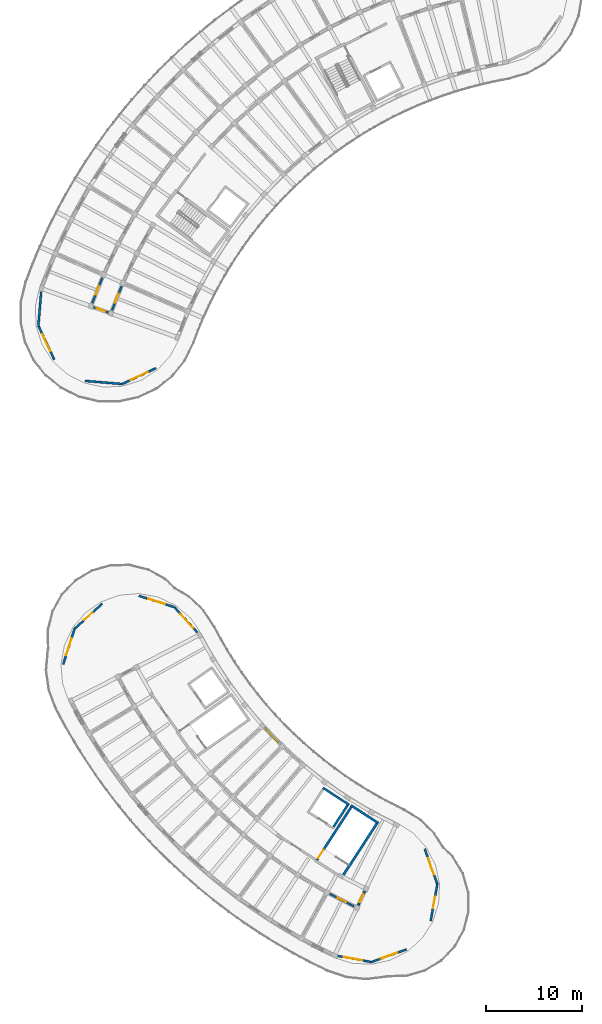
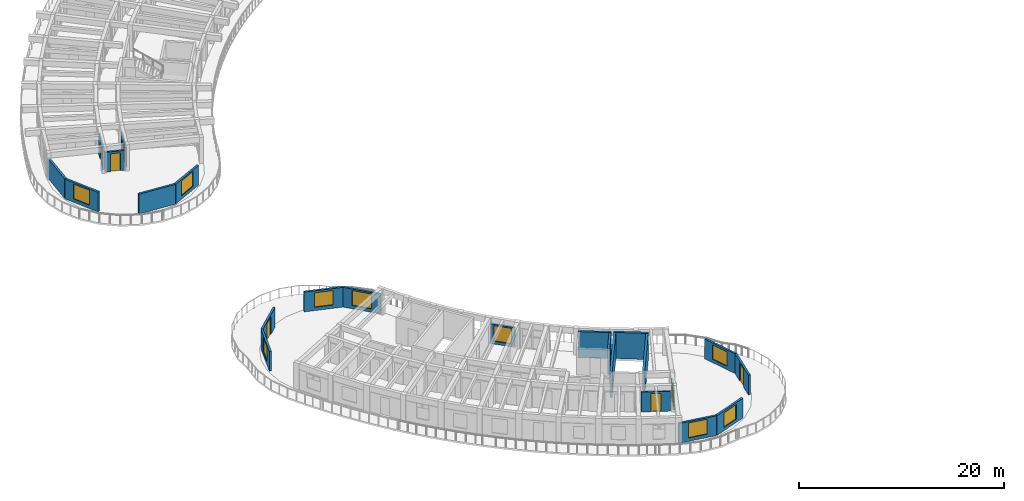
# One storey, part 18 of 41: 23 walls, 9 windows, 8 doors, 17 openings.
"""IFC4 building model written with IfcOpenShell, lengths in metres."""

from ifc_helpers import new_model, si_unit, direction, frame, frame_2d, origin, place, context, subcontext, project, spatial, rectangle, extrude, material, layer, layer_set, type_object, element, fill, save


model = new_model("IFC4")

# Units and contexts
model_context = context("Model", 3, precision=1e-05, world=origin(), true_north=direction((0.0, 1.0)))
body_context = subcontext(model_context, "Body", "Model", "MODEL_VIEW")
ifc_project = project(units=[si_unit("LENGTHUNIT", "METRE"), si_unit("AREAUNIT", "SQUARE_METRE"), si_unit("VOLUMEUNIT", "CUBIC_METRE"), si_unit("PLANEANGLEUNIT", "RADIAN"), si_unit("MASSUNIT", "GRAM", prefix="KILO")], contexts=[model_context])

# Site, building, storey
site_placement = place(None, origin())
site = spatial("IfcSite", under=ifc_project, at=site_placement, CompositionType="ELEMENT")
building_placement = place(site_placement, origin())
building = spatial("IfcBuilding", under=site, at=building_placement, Name="Tanwirah Colonnade Gardens", CompositionType="ELEMENT")
storey_placement = place(building_placement, frame((0.0, 0.0, 35.719970703125)))
storey = spatial("IfcBuildingStorey", under=building, at=storey_placement, Name="L10", CompositionType="ELEMENT", Elevation=35.719970703125)

# Wall, opening, window
ifc_material_1 = material(Name="Limestone architectural precast concrete C40/50", Category="masonry")
ifc_layer_1 = layer(ifc_material_1, 0.219970703125)
ifc_layer_set_1 = layer_set([ifc_layer_1], Name="Limestone architectural precast concrete C40/50")
wall_type_1 = type_object("IfcWallType", Name="EW-PC220", PredefinedType="SOLIDWALL", material=ifc_layer_set_1)
wall_1_placement = place(storey_placement, frame((32.212158203125, 34.494873046875, 0.0), z_axis=(0.0, 0.0, 1.0), x_axis=(0.696216978746, -0.717831399777, 0.0)))
wall_1 = element("IfcWall", 1, at=wall_1_placement, inside=storey, type_object=wall_type_1, Name="Block C L10 IN Precast Facade Wall 7", PredefinedType="SOLIDWALL", context=body_context, shape_type="SweptSolid", body=[
    extrude(rectangle(XDim=2.518798828125, YDim=0.219970703125, at=frame_2d((1.25927734375, 0.0))), origin(), (0.0, 0.0, 1.0), 2.35498046875),
])
opening_1_placement = place(wall_1_placement, frame((0.384521484375, 0.0, 0.35009765625)))
opening_1 = element("IfcOpeningElement", 2, at=opening_1_placement, cuts=wall_1, Name="Opening WIN-T13", PredefinedType="OPENING", context=body_context, shape_type="SweptSolid", body=[
    extrude(rectangle(XDim=1.75, YDim=1.85009765625, at=frame_2d((0.875, 0.925048828125))), frame((0.0, 0.119873046875, 0.0), z_axis=(0.0, -1.0, 0.0), x_axis=(1.0, 0.0, 0.0)), (0.0, 0.0, 1.0), 0.239990234375),
])
ifc_material_2 = material(Name="Thermally broken bronze aluminium and solar low-E double glazing", Category="aluminium")
window_type_1 = type_object("IfcWindowType", Name="WIN-T13", PartitioningType="TRIPLE_PANEL_VERTICAL", PredefinedType="WINDOW", material=ifc_material_2)
window_1_placement = place(opening_1_placement, origin())
window_1 = element("IfcWindow", 3, at=window_1_placement, inside=storey, type_object=window_type_1, Name="Facade window C-L10-IN-07", OverallHeight=1.85009765625, OverallWidth=1.75, PartitioningType="SINGLE_PANEL", PredefinedType="WINDOW", context=body_context, shape_type="SweptSolid", body=[
    extrude(rectangle(XDim=1.75, YDim=1.85009765625, at=frame_2d((0.875, 0.925048828125))), frame((0.0, 0.030029296875, 0.0), z_axis=(0.0, -1.0, 0.0), x_axis=(1.0, 0.0, 0.0)), (0.0, 0.0, 1.0), 0.06005859375),
])
fill(opening_1, window_1)

wall_2_placement = place(storey_placement, frame((11.229736328125, 41.052734375, 0.0), z_axis=(0.0, 0.0, 1.0), x_axis=(0.304848259057, 0.95240093393, 0.0)))
wall_2 = element("IfcWall", 4, at=wall_2_placement, inside=storey, type_object=wall_type_1, Name="Block C L10 START Rounded End Wall 1", PredefinedType="SOLIDWALL", context=body_context, shape_type="SweptSolid", body=[
    extrude(rectangle(XDim=3.908203125, YDim=0.219970703125, at=frame_2d((1.9541015625, 0.0))), origin(), (0.0, 0.0, 1.0), 2.35498046875),
])
opening_2_placement = place(wall_2_placement, frame((1.029052734375, 0.0, 0.39990234375)))
opening_2 = element("IfcOpeningElement", 5, at=opening_2_placement, cuts=wall_2, Name="Opening WIN-END1", PredefinedType="OPENING", context=body_context, shape_type="SweptSolid", body=[
    extrude(rectangle(XDim=1.85009765625, YDim=1.719970703125, at=frame_2d((0.925048828125, 0.85986328125))), frame((0.0, 0.119873046875, 0.0), z_axis=(0.0, -1.0, 0.0), x_axis=(1.0, 0.0, 0.0)), (0.0, 0.0, 1.0), 0.239990234375),
])
window_type_2 = type_object("IfcWindowType", Name="WIN-END1", PartitioningType="TRIPLE_PANEL_VERTICAL", PredefinedType="WINDOW", material=ifc_material_2)
window_2_placement = place(opening_2_placement, origin())
window_2 = element("IfcWindow", 6, at=window_2_placement, inside=storey, type_object=window_type_2, Name="Rounded corner window C-L10-START-1", OverallHeight=1.719970703125, OverallWidth=1.85009765625, PartitioningType="SINGLE_PANEL", PredefinedType="WINDOW", context=body_context, shape_type="SweptSolid", body=[
    extrude(rectangle(XDim=1.85009765625, YDim=1.719970703125, at=frame_2d((0.925048828125, 0.85986328125))), frame((0.0, 0.030029296875, 0.0), z_axis=(0.0, -1.0, 0.0), x_axis=(1.0, 0.0, 0.0)), (0.0, 0.0, 1.0), 0.06005859375),
])
fill(opening_2, window_2)

# Wall, opening, door
wall_3_placement = place(storey_placement, frame((12.421142578125, 44.77490234375, 0.0), z_axis=(0.0, 0.0, 1.0), x_axis=(0.740242444111, 0.672340035947, 0.0)))
wall_3 = element("IfcWall", 7, at=wall_3_placement, inside=storey, type_object=wall_type_1, Name="Block C L10 START Rounded End Wall 2", PredefinedType="SOLIDWALL", context=body_context, shape_type="SweptSolid", body=[
    extrude(rectangle(XDim=3.908203125, YDim=0.219970703125, at=frame_2d((1.9541015625, 0.0))), origin(), (0.0, 0.0, 1.0), 2.35498046875),
])
opening_3_placement = place(wall_3_placement, frame((1.35400390625, 0.0, 0.0)))
opening_3 = element("IfcOpeningElement", 8, at=opening_3_placement, cuts=wall_3, Name="Opening L10-ED172", PredefinedType="OPENING", context=body_context, shape_type="SweptSolid", body=[
    extrude(rectangle(XDim=1.199951171875, YDim=2.14990234375, at=frame_2d((0.60009765625, 1.074951171875))), frame((0.0, 0.119873046875, 0.0), z_axis=(0.0, -1.0, 0.0), x_axis=(1.0, 0.0, 0.0)), (0.0, 0.0, 1.0), 0.239990234375),
])
ifc_material_3 = material(Name="Bronze aluminium glazed terrace door", Category="aluminium")
door_type_1 = type_object("IfcDoorType", Name="ED-TER120", OperationType="NOTDEFINED", PredefinedType="DOOR", material=ifc_material_3)
door_1_placement = place(opening_3_placement, origin())
door_1 = element("IfcDoor", 9, at=door_1_placement, inside=storey, type_object=door_type_1, Name="Stepped corner terrace door L10-ED172", OperationType="SINGLE_SWING_RIGHT", OverallHeight=2.14990234375, OverallWidth=1.199951171875, PredefinedType="DOOR", context=body_context, shape_type="SweptSolid", body=[
    extrude(rectangle(XDim=1.199951171875, YDim=2.14990234375, at=frame_2d((0.60009765625, 1.074951171875))), frame((0.0, 0.02490234375, 0.0), z_axis=(0.0, -1.0, 0.0), x_axis=(1.0, 0.0, 0.0)), (0.0, 0.0, 1.0), 0.050048828125),
])
fill(opening_3, door_1)

# Wall, opening, window
wall_4_placement = place(storey_placement, frame((19.13330078125, 48.23193359375, 0.0), z_axis=(0.0, 0.0, 1.0), x_axis=(0.952382795507, -0.304904920954, 0.0)))
wall_4 = element("IfcWall", 10, at=wall_4_placement, inside=storey, type_object=wall_type_1, Name="Block C L10 START Rounded End Wall 4", PredefinedType="SOLIDWALL", context=body_context, shape_type="SweptSolid", body=[
    extrude(rectangle(XDim=3.908203125, YDim=0.219970703125, at=frame_2d((1.9541015625, 0.0))), origin(), (0.0, 0.0, 1.0), 2.35498046875),
])
opening_4_placement = place(wall_4_placement, frame((1.029052734375, 0.0, 0.39990234375)))
opening_4 = element("IfcOpeningElement", 11, at=opening_4_placement, cuts=wall_4, Name="Opening WIN-END1", PredefinedType="OPENING", context=body_context, shape_type="SweptSolid", body=[
    extrude(rectangle(XDim=1.85009765625, YDim=1.719970703125, at=frame_2d((0.925048828125, 0.85986328125))), frame((0.0, 0.119873046875, 0.0), z_axis=(0.0, -1.0, 0.0), x_axis=(1.0, 0.0, 0.0)), (0.0, 0.0, 1.0), 0.239990234375),
])
window_3_placement = place(opening_4_placement, origin())
window_3 = element("IfcWindow", 12, at=window_3_placement, inside=storey, type_object=window_type_2, Name="Rounded corner window C-L10-START-4", OverallHeight=1.719970703125, OverallWidth=1.85009765625, PartitioningType="SINGLE_PANEL", PredefinedType="WINDOW", context=body_context, shape_type="SweptSolid", body=[
    extrude(rectangle(XDim=1.85009765625, YDim=1.719970703125, at=frame_2d((0.925048828125, 0.85986328125))), frame((0.0, 0.030029296875, 0.0), z_axis=(0.0, -1.0, 0.0), x_axis=(1.0, 0.0, 0.0)), (0.0, 0.0, 1.0), 0.06005859375),
])
fill(opening_4, window_3)

wall_5_placement = place(storey_placement, frame((22.85546875, 47.040283203125, 0.0), z_axis=(0.0, 0.0, 1.0), x_axis=(0.672371126638, -0.740214204175, 0.0)))
wall_5 = element("IfcWall", 13, at=wall_5_placement, inside=storey, type_object=wall_type_1, Name="Block C L10 START Rounded End Wall 5", PredefinedType="SOLIDWALL", context=body_context, shape_type="SweptSolid", body=[
    extrude(rectangle(XDim=3.908203125, YDim=0.219970703125, at=frame_2d((1.9541015625, 0.0))), origin(), (0.0, 0.0, 1.0), 2.35498046875),
])
opening_5_placement = place(wall_5_placement, frame((0.97900390625, 0.0, 0.39990234375)))
opening_5 = element("IfcOpeningElement", 14, at=opening_5_placement, cuts=wall_5, Name="Opening WIN-END2", PredefinedType="OPENING", context=body_context, shape_type="SweptSolid", body=[
    extrude(rectangle(XDim=1.949951171875, YDim=1.780029296875, at=frame_2d((0.97509765625, 0.89013671875))), frame((0.0, 0.119873046875, 0.0), z_axis=(0.0, -1.0, 0.0), x_axis=(1.0, 0.0, 0.0)), (0.0, 0.0, 1.0), 0.239990234375),
])
window_type_3 = type_object("IfcWindowType", Name="WIN-END2", PartitioningType="TRIPLE_PANEL_VERTICAL", PredefinedType="WINDOW", material=ifc_material_2)
window_4_placement = place(opening_5_placement, origin())
window_4 = element("IfcWindow", 15, at=window_4_placement, inside=storey, type_object=window_type_3, Name="Rounded corner window C-L10-START-5", OverallHeight=1.780029296875, OverallWidth=1.949951171875, PartitioningType="SINGLE_PANEL", PredefinedType="WINDOW", context=body_context, shape_type="SweptSolid", body=[
    extrude(rectangle(XDim=1.949951171875, YDim=1.780029296875, at=frame_2d((0.97509765625, 0.89013671875))), frame((0.0, 0.030029296875, 0.0), z_axis=(0.0, -1.0, 0.0), x_axis=(1.0, 0.0, 0.0)), (0.0, 0.0, 1.0), 0.06005859375),
])
fill(opening_5, window_4)

wall_6_placement = place(storey_placement, frame((49.02197265625, 21.771728515625, 0.0), z_axis=(0.0, 0.0, 1.0), x_axis=(0.337903065186, -0.941180917007, 0.0)))
wall_6 = element("IfcWall", 16, at=wall_6_placement, inside=storey, type_object=wall_type_1, Name="Block C L10 END Rounded End Wall 1", PredefinedType="SOLIDWALL", context=body_context, shape_type="SweptSolid", body=[
    extrude(rectangle(XDim=3.908203125, YDim=0.219970703125, at=frame_2d((1.9541015625, 0.0))), origin(), (0.0, 0.0, 1.0), 2.35498046875),
])
opening_6_placement = place(wall_6_placement, frame((1.029052734375, 0.0, 0.39990234375)))
opening_6 = element("IfcOpeningElement", 17, at=opening_6_placement, cuts=wall_6, Name="Opening WIN-END1", PredefinedType="OPENING", context=body_context, shape_type="SweptSolid", body=[
    extrude(rectangle(XDim=1.85009765625, YDim=1.719970703125, at=frame_2d((0.925048828125, 0.85986328125))), frame((0.0, 0.119873046875, 0.0), z_axis=(0.0, -1.0, 0.0), x_axis=(1.0, 0.0, 0.0)), (0.0, 0.0, 1.0), 0.239990234375),
])
window_5_placement = place(opening_6_placement, origin())
window_5 = element("IfcWindow", 18, at=window_5_placement, inside=storey, type_object=window_type_2, Name="Rounded corner window C-L10-END-1", OverallHeight=1.719970703125, OverallWidth=1.85009765625, PartitioningType="SINGLE_PANEL", PredefinedType="WINDOW", context=body_context, shape_type="SweptSolid", body=[
    extrude(rectangle(XDim=1.85009765625, YDim=1.719970703125, at=frame_2d((0.925048828125, 0.85986328125))), frame((0.0, 0.030029296875, 0.0), z_axis=(0.0, -1.0, 0.0), x_axis=(1.0, 0.0, 0.0)), (0.0, 0.0, 1.0), 0.06005859375),
])
fill(opening_6, window_5)

# Wall, opening, door
wall_7_placement = place(storey_placement, frame((50.342529296875, 18.093505859375, 0.0), z_axis=(0.0, 0.0, 1.0), x_axis=(-0.177978291347, -0.984034413935, 0.0)))
wall_7 = element("IfcWall", 19, at=wall_7_placement, inside=storey, type_object=wall_type_1, Name="Block C L10 END Rounded End Wall 2", PredefinedType="SOLIDWALL", context=body_context, shape_type="SweptSolid", body=[
    extrude(rectangle(XDim=3.908203125, YDim=0.219970703125, at=frame_2d((1.9541015625, 0.0))), origin(), (0.0, 0.0, 1.0), 2.35498046875),
])
opening_7_placement = place(wall_7_placement, frame((1.35400390625, 0.0, 0.0)))
opening_7 = element("IfcOpeningElement", 20, at=opening_7_placement, cuts=wall_7, Name="Opening L10-ED173", PredefinedType="OPENING", context=body_context, shape_type="SweptSolid", body=[
    extrude(rectangle(XDim=1.199951171875, YDim=2.14990234375, at=frame_2d((0.60009765625, 1.074951171875))), frame((0.0, 0.119873046875, 0.0), z_axis=(0.0, -1.0, 0.0), x_axis=(1.0, 0.0, 0.0)), (0.0, 0.0, 1.0), 0.239990234375),
])
door_2_placement = place(opening_7_placement, origin())
door_2 = element("IfcDoor", 21, at=door_2_placement, inside=storey, type_object=door_type_1, Name="Stepped corner terrace door L10-ED173", OperationType="SINGLE_SWING_LEFT", OverallHeight=2.14990234375, OverallWidth=1.199951171875, PredefinedType="DOOR", context=body_context, shape_type="SweptSolid", body=[
    extrude(rectangle(XDim=1.199951171875, YDim=2.14990234375, at=frame_2d((0.60009765625, 1.074951171875))), frame((0.0, 0.02490234375, 0.0), z_axis=(0.0, -1.0, 0.0), x_axis=(1.0, 0.0, 0.0)), (0.0, 0.0, 1.0), 0.050048828125),
])
fill(opening_7, door_2)

# Wall, opening, window
wall_8_placement = place(storey_placement, frame((47.121826171875, 11.264892578125, 0.0), z_axis=(0.0, 0.0, 1.0), x_axis=(-0.941180917007, -0.337903065186, 0.0)))
wall_8 = element("IfcWall", 22, at=wall_8_placement, inside=storey, type_object=wall_type_1, Name="Block C L10 END Rounded End Wall 4", PredefinedType="SOLIDWALL", context=body_context, shape_type="SweptSolid", body=[
    extrude(rectangle(XDim=3.908203125, YDim=0.219970703125, at=frame_2d((1.9541015625, 0.0))), origin(), (0.0, 0.0, 1.0), 2.35498046875),
])
opening_8_placement = place(wall_8_placement, frame((1.029052734375, 0.0, 0.39990234375)))
opening_8 = element("IfcOpeningElement", 23, at=opening_8_placement, cuts=wall_8, Name="Opening WIN-END1", PredefinedType="OPENING", context=body_context, shape_type="SweptSolid", body=[
    extrude(rectangle(XDim=1.85009765625, YDim=1.719970703125, at=frame_2d((0.925048828125, 0.85986328125))), frame((0.0, 0.119873046875, 0.0), z_axis=(0.0, -1.0, 0.0), x_axis=(1.0, 0.0, 0.0)), (0.0, 0.0, 1.0), 0.239990234375),
])
window_6_placement = place(opening_8_placement, origin())
window_6 = element("IfcWindow", 24, at=window_6_placement, inside=storey, type_object=window_type_2, Name="Rounded corner window C-L10-END-4", OverallHeight=1.719970703125, OverallWidth=1.85009765625, PartitioningType="SINGLE_PANEL", PredefinedType="WINDOW", context=body_context, shape_type="SweptSolid", body=[
    extrude(rectangle(XDim=1.85009765625, YDim=1.719970703125, at=frame_2d((0.925048828125, 0.85986328125))), frame((0.0, 0.030029296875, 0.0), z_axis=(0.0, -1.0, 0.0), x_axis=(1.0, 0.0, 0.0)), (0.0, 0.0, 1.0), 0.06005859375),
])
fill(opening_8, window_6)

wall_9_placement = place(storey_placement, frame((43.443603515625, 9.9443359375, 0.0), z_axis=(0.0, 0.0, 1.0), x_axis=(-0.984045353069, 0.177917798727, 0.0)))
wall_9 = element("IfcWall", 25, at=wall_9_placement, inside=storey, type_object=wall_type_1, Name="Block C L10 END Rounded End Wall 5", PredefinedType="SOLIDWALL", context=body_context, shape_type="SweptSolid", body=[
    extrude(rectangle(XDim=3.907958984375, YDim=0.219970703125, at=frame_2d((1.9541015625, 0.0))), origin(), (0.0, 0.0, 1.0), 2.35498046875),
])
opening_9_placement = place(wall_9_placement, frame((0.97900390625, 0.0, 0.39990234375)))
opening_9 = element("IfcOpeningElement", 26, at=opening_9_placement, cuts=wall_9, Name="Opening WIN-END2", PredefinedType="OPENING", context=body_context, shape_type="SweptSolid", body=[
    extrude(rectangle(XDim=1.949951171875, YDim=1.780029296875, at=frame_2d((0.97509765625, 0.89013671875))), frame((0.0, 0.119873046875, 0.0), z_axis=(0.0, -1.0, 0.0), x_axis=(1.0, 0.0, 0.0)), (0.0, 0.0, 1.0), 0.239990234375),
])
window_7_placement = place(opening_9_placement, origin())
window_7 = element("IfcWindow", 27, at=window_7_placement, inside=storey, type_object=window_type_3, Name="Rounded corner window C-L10-END-5", OverallHeight=1.780029296875, OverallWidth=1.949951171875, PartitioningType="SINGLE_PANEL", PredefinedType="WINDOW", context=body_context, shape_type="SweptSolid", body=[
    extrude(rectangle(XDim=1.949951171875, YDim=1.780029296875, at=frame_2d((0.97509765625, 0.89013671875))), frame((0.0, 0.030029296875, 0.0), z_axis=(0.0, -1.0, 0.0), x_axis=(1.0, 0.0, 0.0)), (0.0, 0.0, 1.0), 0.06005859375),
])
fill(opening_9, window_7)

ifc_layer_2 = layer(ifc_material_1, 0.22509765625)
ifc_layer_set_2 = layer_set([ifc_layer_2], Name="Limestone architectural precast concrete C40/50")
wall_type_2 = type_object("IfcWallType", Name="EW-PC225", PredefinedType="SOLIDWALL", material=ifc_layer_set_2)
wall_10_placement = place(storey_placement, frame((20.94287109375, 72.030517578125, 0.0), z_axis=(0.0, 0.0, 1.0), x_axis=(-0.904675662712, -0.42610086282, 0.0)))
wall_10 = element("IfcWall", 28, at=wall_10_placement, inside=storey, type_object=wall_type_2, Name="Block A L10 END Rounded End Wall 1", PredefinedType="SOLIDWALL", context=body_context, shape_type="SweptSolid", body=[
    extrude(rectangle(XDim=3.908203125, YDim=0.22509765625, at=frame_2d((1.9541015625, 0.0))), origin(), (0.0, 0.0, 1.0), 2.35498046875),
])
opening_10_placement = place(wall_10_placement, frame((0.97900390625, 0.0, 0.39990234375)))
opening_10 = element("IfcOpeningElement", 29, at=opening_10_placement, cuts=wall_10, Name="Opening WIN-END2", PredefinedType="OPENING", context=body_context, shape_type="SweptSolid", body=[
    extrude(rectangle(XDim=1.949951171875, YDim=1.780029296875, at=frame_2d((0.97509765625, 0.89013671875))), frame((0.0, 0.12255859375, 0.0), z_axis=(0.0, -1.0, 0.0), x_axis=(1.0, 0.0, 0.0)), (0.0, 0.0, 1.0), 0.2451171875),
])
window_8_placement = place(opening_10_placement, origin())
window_8 = element("IfcWindow", 30, at=window_8_placement, inside=storey, type_object=window_type_3, Name="Rounded corner window A-L10-END-1", OverallHeight=1.780029296875, OverallWidth=1.949951171875, PartitioningType="SINGLE_PANEL", PredefinedType="WINDOW", context=body_context, shape_type="SweptSolid", body=[
    extrude(rectangle(XDim=1.949951171875, YDim=1.780029296875, at=frame_2d((0.97509765625, 0.89013671875))), frame((0.0, 0.030029296875, 0.0), z_axis=(0.0, -1.0, 0.0), x_axis=(1.0, 0.0, 0.0)), (0.0, 0.0, 1.0), 0.06005859375),
])
fill(opening_10, window_8)

# Wall
wall_11_placement = place(storey_placement, frame((17.4072265625, 70.365234375, 0.0), z_axis=(0.0, 0.0, 1.0), x_axis=(-0.996526775767, 0.083272955874, 0.0)))
element("IfcWall", 31, at=wall_11_placement, inside=storey, type_object=wall_type_2, Name="Block A L10 END Rounded End Wall 2", PredefinedType="SOLIDWALL", context=body_context, shape_type="SweptSolid", body=[
    extrude(rectangle(XDim=3.908203125, YDim=0.22509765625, at=frame_2d((1.9541015625, 0.0))), origin(), (0.0, 0.0, 1.0), 2.35498046875),
])

# Wall, opening, window
wall_12_placement = place(storey_placement, frame((10.302490234375, 72.919921875, 0.0), z_axis=(0.0, 0.0, 1.0), x_axis=(-0.42610086282, 0.904675662712, 0.0)))
wall_12 = element("IfcWall", 32, at=wall_12_placement, inside=storey, type_object=wall_type_2, Name="Block A L10 END Rounded End Wall 4", PredefinedType="SOLIDWALL", context=body_context, shape_type="SweptSolid", body=[
    extrude(rectangle(XDim=3.908203125, YDim=0.22509765625, at=frame_2d((1.9541015625, 0.0))), origin(), (0.0, 0.0, 1.0), 2.35498046875),
])
opening_11_placement = place(wall_12_placement, frame((0.97900390625, 0.0, 0.39990234375)))
opening_11 = element("IfcOpeningElement", 33, at=opening_11_placement, cuts=wall_12, Name="Opening WIN-END2", PredefinedType="OPENING", context=body_context, shape_type="SweptSolid", body=[
    extrude(rectangle(XDim=1.949951171875, YDim=1.780029296875, at=frame_2d((0.97509765625, 0.89013671875))), frame((0.0, 0.12255859375, 0.0), z_axis=(0.0, -1.0, 0.0), x_axis=(1.0, 0.0, 0.0)), (0.0, 0.0, 1.0), 0.2451171875),
])
window_9_placement = place(opening_11_placement, origin())
window_9 = element("IfcWindow", 34, at=window_9_placement, inside=storey, type_object=window_type_3, Name="Rounded corner window A-L10-END-4", OverallHeight=1.780029296875, OverallWidth=1.949951171875, PartitioningType="SINGLE_PANEL", PredefinedType="WINDOW", context=body_context, shape_type="SweptSolid", body=[
    extrude(rectangle(XDim=1.949951171875, YDim=1.780029296875, at=frame_2d((0.97509765625, 0.89013671875))), frame((0.0, 0.030029296875, 0.0), z_axis=(0.0, -1.0, 0.0), x_axis=(1.0, 0.0, 0.0)), (0.0, 0.0, 1.0), 0.06005859375),
])
fill(opening_11, window_9)

# Wall
wall_13_placement = place(storey_placement, frame((8.63720703125, 76.45556640625, 0.0), z_axis=(0.0, 0.0, 1.0), x_axis=(0.083272955874, 0.996526775767, 0.0)))
element("IfcWall", 35, at=wall_13_placement, inside=storey, type_object=wall_type_2, Name="Block A L10 END Rounded End Wall 5", PredefinedType="SOLIDWALL", context=body_context, shape_type="SweptSolid", body=[
    extrude(rectangle(XDim=3.908203125, YDim=0.22509765625, at=frame_2d((1.9541015625, 0.0))), origin(), (0.0, 0.0, 1.0), 2.35498046875),
])

# Wall, opening, door
ifc_material_4 = material(Name="Precast concrete C40/50", Category="concrete")
ifc_layer_3 = layer(ifc_material_4, 0.195068359375)
ifc_layer_set_3 = layer_set([ifc_layer_3], Name="Precast concrete C40/50")
wall_type_3 = type_object("IfcWallType", Name="IW-CORR195", PredefinedType="PARTITIONING", material=ifc_layer_set_3)
wall_14_placement = place(storey_placement, frame((39.107421875, 17.067138671875, 0.0), z_axis=(0.0, 0.0, 1.0), x_axis=(0.890030590607, -0.45590080915, 0.0)))
wall_14 = element("IfcWall", 36, at=wall_14_placement, inside=storey, type_object=wall_type_3, Name="Block C L10 OUT Corridor Wall 12", PredefinedType="PARTITIONING", context=body_context, shape_type="SweptSolid", body=[
    extrude(rectangle(XDim=2.837158203125, YDim=0.195068359375, at=frame_2d((1.41845703125, 0.0))), origin(), (0.0, 0.0, 1.0), 2.3701171875),
])
opening_12_placement = place(wall_14_placement, frame((0.923583984375, 0.0, 0.0)))
opening_12 = element("IfcOpeningElement", 37, at=opening_12_placement, cuts=wall_14, Name="Opening L10-AD1647", PredefinedType="OPENING", context=body_context, shape_type="SweptSolid", body=[
    extrude(rectangle(XDim=0.989990234375, YDim=2.159912109375, at=frame_2d((0.4951171875, 1.080078125))), frame((0.0, 0.107421875, 0.0), z_axis=(0.0, -1.0, 0.0), x_axis=(1.0, 0.0, 0.0)), (0.0, 0.0, 1.0), 0.215087890625),
])
ifc_material_5 = material(Name="Solid oak fire-resisting apartment entrance door")
door_type_2 = type_object("IfcDoorType", Name="ID-FLT099", OperationType="NOTDEFINED", PredefinedType="DOOR", material=ifc_material_5)
door_3_placement = place(opening_12_placement, origin())
door_3 = element("IfcDoor", 38, at=door_3_placement, inside=storey, type_object=door_type_2, Name="Apartment corridor door L10-AD1647", OperationType="SINGLE_SWING_LEFT", OverallHeight=2.159912109375, OverallWidth=0.989990234375, PredefinedType="DOOR", context=body_context, shape_type="SweptSolid", body=[
    extrude(rectangle(XDim=0.989990234375, YDim=2.159912109375, at=frame_2d((0.4951171875, 1.080078125))), frame((0.0, 0.02490234375, 0.0), z_axis=(0.0, -1.0, 0.0), x_axis=(1.0, 0.0, 0.0)), (0.0, 0.0, 1.0), 0.050048828125),
])
fill(opening_12, door_3)

wall_15_placement = place(storey_placement, frame((42.861083984375, 17.558837890625, 0.0), z_axis=(0.0, 0.0, 1.0), x_axis=(-0.426541520305, -0.904467982549, 0.0)))
wall_15 = element("IfcWall", 39, at=wall_15_placement, inside=storey, type_object=wall_type_3, Name="Block C L10 CE Corner Suite Corridor Wall", PredefinedType="PARTITIONING", context=body_context, shape_type="SweptSolid", body=[
    extrude(rectangle(XDim=2.10009765625, YDim=0.195068359375, at=frame_2d((1.050048828125, 0.0))), origin(), (0.0, 0.0, 1.0), 2.3701171875),
])
opening_13_placement = place(wall_15_placement, frame((0.570068359375, 0.0, 0.0)))
opening_13 = element("IfcOpeningElement", 40, at=opening_13_placement, cuts=wall_15, Name="Opening L10-CD1649", PredefinedType="OPENING", context=body_context, shape_type="SweptSolid", body=[
    extrude(rectangle(XDim=0.949951171875, YDim=2.1298828125, at=frame_2d((0.47509765625, 1.06494140625))), frame((0.0, 0.107421875, 0.0), z_axis=(0.0, -1.0, 0.0), x_axis=(1.0, 0.0, 0.0)), (0.0, 0.0, 1.0), 0.215087890625),
])
door_type_3 = type_object("IfcDoorType", Name="ID-FLT095", OperationType="NOTDEFINED", PredefinedType="DOOR", material=ifc_material_5)
door_4_placement = place(opening_13_placement, origin())
door_4 = element("IfcDoor", 41, at=door_4_placement, inside=storey, type_object=door_type_3, Name="Corner suite entrance door L10-CD1649", OperationType="SINGLE_SWING_RIGHT", OverallHeight=2.1298828125, OverallWidth=0.949951171875, PredefinedType="DOOR", context=body_context, shape_type="SweptSolid", body=[
    extrude(rectangle(XDim=0.949951171875, YDim=2.1298828125, at=frame_2d((0.47509765625, 1.06494140625))), frame((0.0, 0.02490234375, 0.0), z_axis=(0.0, -1.0, 0.0), x_axis=(1.0, 0.0, 0.0)), (0.0, 0.0, 1.0), 0.050048828125),
])
fill(opening_13, door_4)

ifc_layer_4 = layer(ifc_material_4, 0.205078125)
ifc_layer_set_4 = layer_set([ifc_layer_4], Name="Precast concrete C40/50")
wall_type_4 = type_object("IfcWallType", Name="IW-CORR205", PredefinedType="PARTITIONING", material=ifc_layer_set_4)
wall_16_placement = place(storey_placement, frame((15.32470703125, 81.47509765625, 0.0), z_axis=(0.0, 0.0, 1.0), x_axis=(-0.369213832442, -0.929344471083, 0.0)))
wall_16 = element("IfcWall", 42, at=wall_16_placement, inside=storey, type_object=wall_type_4, Name="Block A L10 OUT Corridor Wall 16", PredefinedType="PARTITIONING", context=body_context, shape_type="SweptSolid", body=[
    extrude(rectangle(XDim=2.86328125, YDim=0.205078125, at=frame_2d((1.431640625, 0.0))), origin(), (0.0, 0.0, 1.0), 2.3701171875),
])
opening_14_placement = place(wall_16_placement, frame((0.95654296875, 0.0, 0.0)))
opening_14 = element("IfcOpeningElement", 43, at=opening_14_placement, cuts=wall_16, Name="Opening L10-AD671", PredefinedType="OPENING", context=body_context, shape_type="SweptSolid", body=[
    extrude(rectangle(XDim=0.949951171875, YDim=2.1298828125, at=frame_2d((0.47509765625, 1.06494140625))), frame((0.0, 0.112548828125, 0.0), z_axis=(0.0, -1.0, 0.0), x_axis=(1.0, 0.0, 0.0)), (0.0, 0.0, 1.0), 0.22509765625),
])
door_5_placement = place(opening_14_placement, origin())
door_5 = element("IfcDoor", 44, at=door_5_placement, inside=storey, type_object=door_type_3, Name="Apartment corridor door L10-AD671", OperationType="SINGLE_SWING_LEFT", OverallHeight=2.1298828125, OverallWidth=0.949951171875, PredefinedType="DOOR", context=body_context, shape_type="SweptSolid", body=[
    extrude(rectangle(XDim=0.949951171875, YDim=2.1298828125, at=frame_2d((0.47509765625, 1.06494140625))), frame((0.0, 0.02490234375, 0.0), z_axis=(0.0, -1.0, 0.0), x_axis=(1.0, 0.0, 0.0)), (0.0, 0.0, 1.0), 0.050048828125),
])
fill(opening_14, door_5)

wall_17_placement = place(storey_placement, frame((17.34130859375, 80.595947265625, 0.0), z_axis=(0.0, 0.0, 1.0), x_axis=(-0.369237170461, -0.929335198919, 0.0)))
wall_17 = element("IfcWall", 45, at=wall_17_placement, inside=storey, type_object=wall_type_4, Name="Block A L10 IN Corridor Wall 16", PredefinedType="PARTITIONING", context=body_context, shape_type="SweptSolid", body=[
    extrude(rectangle(XDim=2.71826171875, YDim=0.205078125, at=frame_2d((1.359130859375, 0.0))), origin(), (0.0, 0.0, 1.0), 2.3701171875),
])
opening_15_placement = place(wall_17_placement, frame((0.884033203125, 0.0, 0.0)))
opening_15 = element("IfcOpeningElement", 46, at=opening_15_placement, cuts=wall_17, Name="Opening L10-AD672", PredefinedType="OPENING", context=body_context, shape_type="SweptSolid", body=[
    extrude(rectangle(XDim=0.949951171875, YDim=2.1298828125, at=frame_2d((0.47509765625, 1.06494140625))), frame((0.0, 0.112548828125, 0.0), z_axis=(0.0, -1.0, 0.0), x_axis=(1.0, 0.0, 0.0)), (0.0, 0.0, 1.0), 0.22509765625),
])
door_6_placement = place(opening_15_placement, origin())
door_6 = element("IfcDoor", 47, at=door_6_placement, inside=storey, type_object=door_type_3, Name="Apartment corridor door L10-AD672", OperationType="SINGLE_SWING_RIGHT", OverallHeight=2.1298828125, OverallWidth=0.949951171875, PredefinedType="DOOR", context=body_context, shape_type="SweptSolid", body=[
    extrude(rectangle(XDim=0.949951171875, YDim=2.1298828125, at=frame_2d((0.47509765625, 1.06494140625))), frame((0.0, 0.02490234375, 0.0), z_axis=(0.0, -1.0, 0.0), x_axis=(1.0, 0.0, 0.0)), (0.0, 0.0, 1.0), 0.050048828125),
])
fill(opening_15, door_6)

wall_18_placement = place(storey_placement, frame((16.161376953125, 77.761474609375, 0.0), z_axis=(0.0, 0.0, 1.0), x_axis=(-0.940992591523, 0.338427160109, 0.0)))
wall_18 = element("IfcWall", 48, at=wall_18_placement, inside=storey, type_object=wall_type_4, Name="Block A L10 CE Corner Suite Corridor Wall", PredefinedType="PARTITIONING", context=body_context, shape_type="SweptSolid", body=[
    extrude(rectangle(XDim=2.10009765625, YDim=0.205078125, at=frame_2d((1.050048828125, 0.0))), origin(), (0.0, 0.0, 1.0), 2.3701171875),
])
opening_16_placement = place(wall_18_placement, frame((0.570068359375, 0.0, 0.0)))
opening_16 = element("IfcOpeningElement", 49, at=opening_16_placement, cuts=wall_18, Name="Opening L10-CD674", PredefinedType="OPENING", context=body_context, shape_type="SweptSolid", body=[
    extrude(rectangle(XDim=0.949951171875, YDim=2.1298828125, at=frame_2d((0.47509765625, 1.06494140625))), frame((0.0, 0.112548828125, 0.0), z_axis=(0.0, -1.0, 0.0), x_axis=(1.0, 0.0, 0.0)), (0.0, 0.0, 1.0), 0.22509765625),
])
door_7_placement = place(opening_16_placement, origin())
door_7 = element("IfcDoor", 50, at=door_7_placement, inside=storey, type_object=door_type_3, Name="Corner suite entrance door L10-CD674", OperationType="SINGLE_SWING_RIGHT", OverallHeight=2.1298828125, OverallWidth=0.949951171875, PredefinedType="DOOR", context=body_context, shape_type="SweptSolid", body=[
    extrude(rectangle(XDim=0.949951171875, YDim=2.1298828125, at=frame_2d((0.47509765625, 1.06494140625))), frame((0.0, 0.02490234375, 0.0), z_axis=(0.0, -1.0, 0.0), x_axis=(1.0, 0.0, 0.0)), (0.0, 0.0, 1.0), 0.050048828125),
])
fill(opening_16, door_7)

# Walls
ifc_material_6 = material(Name="Concrete C45/55", Category="concrete")
ifc_layer_5 = layer(ifc_material_6, 0.25)
ifc_layer_set_5 = layer_set([ifc_layer_5], Name="Concrete C45/55")
wall_type_5 = type_object("IfcWallType", Name="SW-CORE250", PredefinedType="SHEAR", material=ifc_layer_set_5)
wall_19_placement = place(storey_placement, frame((40.412841796875, 18.881591796875, 0.0), z_axis=(0.0, 0.0, 1.0), x_axis=(0.544629435258, 0.838676802022, 0.0)))
element("IfcWall", 51, at=wall_19_placement, inside=storey, type_object=wall_type_5, Name="CORE-C2 L10 Stair Shaft Shear Wall LEFT", PredefinedType="SHEAR", context=body_context, shape_type="SweptSolid", body=[
    extrude(rectangle(XDim=6.599853515625, YDim=0.25, at=frame_2d((3.2998046875, 0.0))), origin(), (0.0, 0.0, 1.0), 3.110107421875),
])
wall_20_placement = place(storey_placement, frame((44.180419921875, 24.45361328125, 0.0), z_axis=(0.0, 0.0, 1.0), x_axis=(-0.838699580527, 0.544594356953, 0.0)))
element("IfcWall", 52, at=wall_20_placement, inside=storey, type_object=wall_type_5, Name="CORE-C2 L10 Stair Shaft Shear Wall FAR", PredefinedType="SHEAR", context=body_context, shape_type="SweptSolid", body=[
    extrude(rectangle(XDim=3.420166015625, YDim=0.25, at=frame_2d((1.7099609375, 0.0))), origin(), (0.0, 0.0, 1.0), 3.110107421875),
])

# Wall, opening, door
wall_21_placement = place(storey_placement, frame((37.754150390625, 20.608154296875, 0.0), z_axis=(0.0, 0.0, 1.0), x_axis=(0.544655453679, 0.838659905312, 0.0)))
wall_21 = element("IfcWall", 53, at=wall_21_placement, inside=storey, type_object=wall_type_5, Name="CORE-C2 L10 Stair Shaft Shear Wall RIGHT", PredefinedType="SHEAR", context=body_context, shape_type="SweptSolid", body=[
    extrude(rectangle(XDim=6.60009765625, YDim=0.25, at=frame_2d((3.300048828125, 0.0))), origin(), (0.0, 0.0, 1.0), 3.110107421875),
])
opening_17_placement = place(wall_21_placement, frame((0.219970703125, 0.0, 0.0)))
opening_17 = element("IfcOpeningElement", 54, at=opening_17_placement, cuts=wall_21, Name="Opening L10-SD156", PredefinedType="OPENING", context=body_context, shape_type="SweptSolid", body=[
    extrude(rectangle(XDim=1.050048828125, YDim=2.14990234375, at=frame_2d((0.52490234375, 1.074951171875))), frame((0.0, 0.135009765625, 0.0), z_axis=(0.0, -1.0, 0.0), x_axis=(1.0, 0.0, 0.0)), (0.0, 0.0, 1.0), 0.27001953125),
])
ifc_material_7 = material(Name="Steel fire-resisting stair enclosure door", Category="steel")
door_type_4 = type_object("IfcDoorType", Name="ID-ST105", OperationType="NOTDEFINED", PredefinedType="DOOR", material=ifc_material_7)
door_8_placement = place(opening_17_placement, origin())
door_8 = element("IfcDoor", 55, at=door_8_placement, inside=storey, type_object=door_type_4, Name="CORE-C2 L10 Stair Fire Door L10-SD156", OperationType="SINGLE_SWING_LEFT", OverallHeight=2.14990234375, OverallWidth=1.050048828125, PredefinedType="DOOR", context=body_context, shape_type="SweptSolid", body=[
    extrude(rectangle(XDim=1.050048828125, YDim=2.14990234375, at=frame_2d((0.52490234375, 1.074951171875))), frame((0.0, 0.02490234375, 0.0), z_axis=(0.0, -1.0, 0.0), x_axis=(1.0, 0.0, 0.0)), (0.0, 0.0, 1.0), 0.050048828125),
])
fill(opening_17, door_8)

# Walls
ifc_layer_6 = layer(ifc_material_6, 0.22998046875)
ifc_layer_set_6 = layer_set([ifc_layer_6], Name="Concrete C45/55")
wall_type_6 = type_object("IfcWallType", Name="SW-LIFT230", PredefinedType="SHEAR", material=ifc_layer_set_6)
wall_22_placement = place(storey_placement, frame((41.111572265625, 26.374755859375, 0.0), z_axis=(0.0, 0.0, 1.0), x_axis=(-0.838638623546, 0.544688221919, 0.0)))
element("IfcWall", 56, at=wall_22_placement, inside=storey, type_object=wall_type_6, Name="CORE-C2 L10 Lift Shaft Wall BACK", PredefinedType="SHEAR", context=body_context, shape_type="SweptSolid", body=[
    extrude(rectangle(XDim=3.260009765625, YDim=0.22998046875, at=frame_2d((1.6298828125, 0.0))), origin(), (0.0, 0.0, 1.0), 3.110107421875),
])
wall_23_placement = place(storey_placement, frame((39.48193359375, 24.07666015625, 0.0), z_axis=(0.0, 0.0, 1.0), x_axis=(0.544686387605, 0.838639814913, 0.0)))
element("IfcWall", 57, at=wall_23_placement, inside=storey, type_object=wall_type_6, Name="CORE-C2 L10 Lift Shaft Wall SIDEA", PredefinedType="SHEAR", context=body_context, shape_type="SweptSolid", body=[
    extrude(rectangle(XDim=2.7001953125, YDim=0.22998046875, at=frame_2d((1.35009765625, 0.0))), origin(), (0.0, 0.0, 1.0), 3.110107421875),
])

save(model, "model.ifc")
